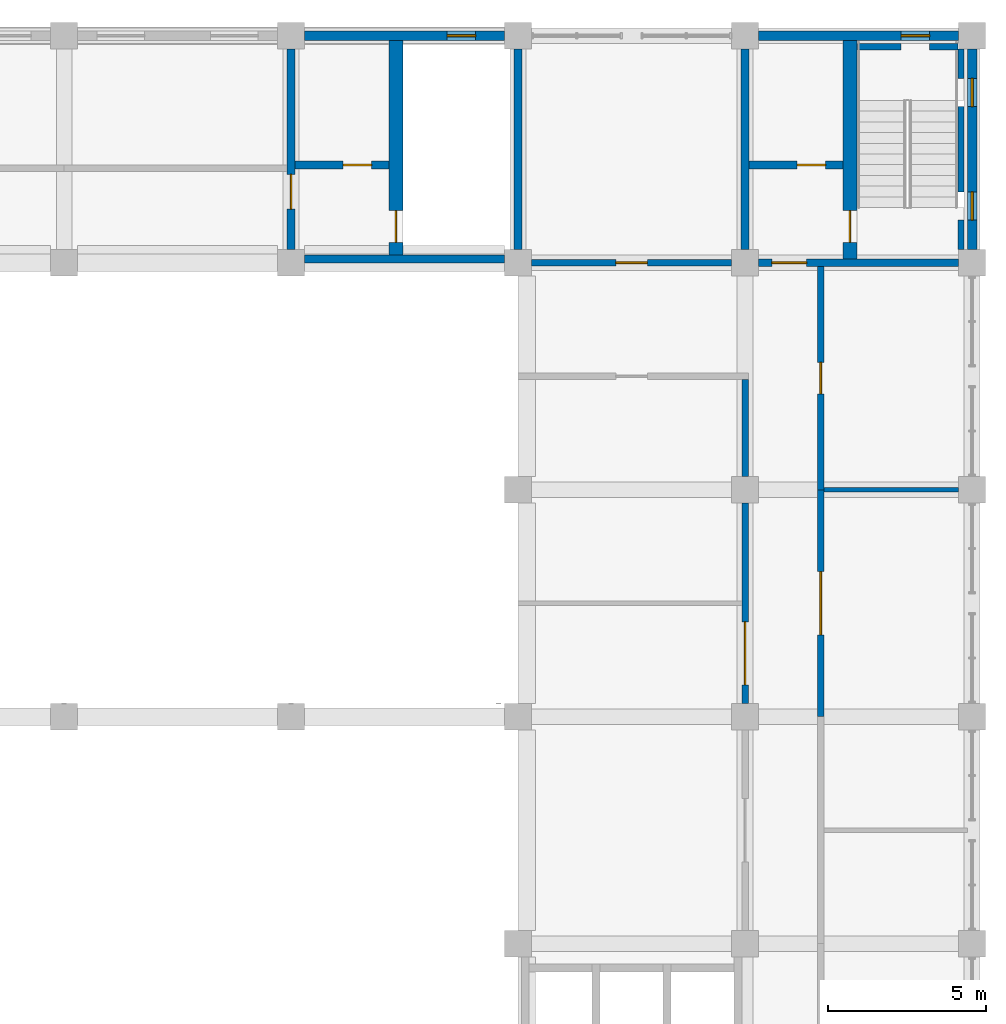
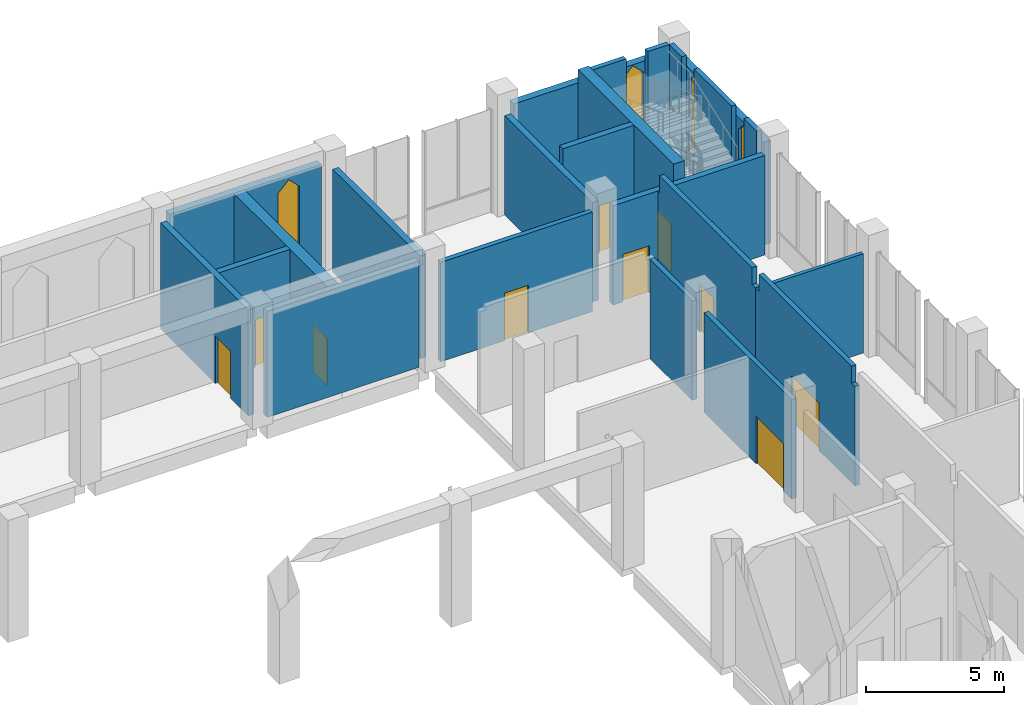
# One storey, part 35 of 48: 23 walls, 10 doors, 4 windows, 14 openings.
"""IFC4 building model written with IfcOpenShell, lengths in metres."""

from ifc_helpers import new_model, si_unit, direction, frame, frame_2d, origin, place, context, subcontext, project, spatial, polyline, rectangle, outline, extrude, material, layer, layer_set, type_object, element, fill, save


model = new_model("IFC4")

# Units and contexts
model_context = context("Model", 3, precision=1e-05, world=origin(), true_north=direction((0.0, 1.0)))
body_context = subcontext(model_context, "Body", "Model", "MODEL_VIEW")
ifc_project = project(units=[si_unit("LENGTHUNIT", "METRE"), si_unit("AREAUNIT", "SQUARE_METRE"), si_unit("VOLUMEUNIT", "CUBIC_METRE"), si_unit("PLANEANGLEUNIT", "RADIAN"), si_unit("MASSUNIT", "GRAM", prefix="KILO")], contexts=[model_context])

# Site, building, storey
site_placement = place(None, origin())
site = spatial("IfcSite", under=ifc_project, at=site_placement, CompositionType="ELEMENT")
building_placement = place(site_placement, origin())
building = spatial("IfcBuilding", under=site, at=building_placement, Name="Silangan Lancet Faculty of Sciences", CompositionType="ELEMENT")
storey_placement = place(building_placement, frame((0.0, 0.0, 6.0)))
storey = spatial("IfcBuildingStorey", under=building, at=storey_placement, Name="L01", CompositionType="ELEMENT", Elevation=6.0)

# Wall, openings, windows
ifc_material_1 = material(Name="Concrete C40/50 precast", Category="concrete")
ifc_layer_1 = layer(ifc_material_1, 0.300048828125)
ifc_layer_set_1 = layer_set([ifc_layer_1], Name="Concrete C40/50 precast")
wall_type_1 = type_object("IfcWallType", Name="EW2 Turret enclosure wall", PredefinedType="STANDARD", material=ifc_layer_set_1)
wall_1_placement = place(storey_placement, frame((86.39990234375, 50.824951171875, 0.0), z_axis=(0.0, 0.0, 1.0), x_axis=(0.0, 1.0, 0.0)))
wall_1 = element("IfcWall", 1, at=wall_1_placement, inside=storey, type_object=wall_type_1, Name="EW-L01-E-EB-07", PredefinedType="STANDARD", context=body_context, shape_type="SweptSolid", body=[
    extrude(rectangle(XDim=6.35009765625, YDim=0.300048828125, at=frame_2d((3.175048828125, 0.0))), origin(), (0.0, 0.0, 1.0), 4.550048828125),
])
opening_1_placement = place(wall_1_placement, frame((0.925048828125, 0.0, 0.89990234375)))
opening_1 = element("IfcOpeningElement", 2, at=opening_1_placement, cuts=wall_1, Name="Opening W5", PredefinedType="OPENING", context=body_context, shape_type="SweptSolid", body=[
    extrude(outline(polyline([(0.0, 0.0), (0.89990234375, 0.0), (0.89990234375, 3.150146484375), (0.449951171875, 3.60009765625), (0.0, 3.150146484375), (0.0, 0.0)])), frame((0.0, 0.159912109375, 0.0), z_axis=(0.0, -1.0, 0.0), x_axis=(1.0, 0.0, 0.0)), (0.0, 0.0, 1.0), 0.320068359375),
])
opening_2_placement = place(wall_1_placement, frame((4.52490234375, 0.0, 0.89990234375)))
opening_2 = element("IfcOpeningElement", 3, at=opening_2_placement, cuts=wall_1, Name="Opening W5", PredefinedType="OPENING", context=body_context, shape_type="SweptSolid", body=[
    extrude(outline(polyline([(0.0, 0.0), (0.89990234375, 0.0), (0.89990234375, 3.150146484375), (0.449951171875, 3.60009765625), (0.0, 3.150146484375), (0.0, 0.0)])), frame((0.0, 0.159912109375, 0.0), z_axis=(0.0, -1.0, 0.0), x_axis=(1.0, 0.0, 0.0)), (0.0, 0.0, 1.0), 0.320068359375),
])
ifc_material_2 = material(Name="Aluminium frame, laminated double glazing", Category="aluminium")
window_type = type_object("IfcWindowType", Name="W5 Lancet window 900 x 3600", PartitioningType="SINGLE_PANEL", PredefinedType="WINDOW", material=ifc_material_2)
window_1_placement = place(opening_1_placement, origin())
window_1 = element("IfcWindow", 4, at=window_1_placement, inside=storey, type_object=window_type, Name="WIN-L01-E-EB-07a", OverallHeight=3.60009765625, OverallWidth=0.89990234375, PartitioningType="SINGLE_PANEL", PredefinedType="WINDOW", context=body_context, shape_type="SweptSolid", body=[
    extrude(outline(polyline([(0.0, 0.0), (0.89990234375, 0.0), (0.89990234375, 3.150146484375), (0.449951171875, 3.60009765625), (0.0, 3.150146484375), (0.0, 0.0)])), frame((0.0, 0.030029296875, 0.0), z_axis=(0.0, -1.0, 0.0), x_axis=(1.0, 0.0, 0.0)), (0.0, 0.0, 1.0), 0.06005859375),
])
fill(opening_1, window_1)
window_2_placement = place(opening_2_placement, origin())
window_2 = element("IfcWindow", 5, at=window_2_placement, inside=storey, type_object=window_type, Name="WIN-L01-E-EB-07b", OverallHeight=3.60009765625, OverallWidth=0.89990234375, PartitioningType="SINGLE_PANEL", PredefinedType="WINDOW", context=body_context, shape_type="SweptSolid", body=[
    extrude(outline(polyline([(0.0, 0.0), (0.89990234375, 0.0), (0.89990234375, 3.150146484375), (0.449951171875, 3.60009765625), (0.0, 3.150146484375), (0.0, 0.0)])), frame((0.0, 0.030029296875, 0.0), z_axis=(0.0, -1.0, 0.0), x_axis=(1.0, 0.0, 0.0)), (0.0, 0.0, 1.0), 0.06005859375),
])
fill(opening_2, window_2)

# Wall, opening, window
wall_2_placement = place(storey_placement, frame((85.97509765625, 57.60009765625, 0.0), z_axis=(0.0, 0.0, 1.0), x_axis=(-1.0, 0.0, 0.0)))
wall_2 = element("IfcWall", 6, at=wall_2_placement, inside=storey, type_object=wall_type_1, Name="EW-L01-N-EB-00", PredefinedType="STANDARD", context=body_context, shape_type="SweptSolid", body=[
    extrude(rectangle(XDim=6.35009765625, YDim=0.300048828125, at=frame_2d((3.175048828125, 0.0))), origin(), (0.0, 0.0, 1.0), 4.550048828125),
])
opening_3_placement = place(wall_2_placement, frame((0.925048828125, 0.0, 0.89990234375)))
opening_3 = element("IfcOpeningElement", 7, at=opening_3_placement, cuts=wall_2, Name="Opening W5", PredefinedType="OPENING", context=body_context, shape_type="SweptSolid", body=[
    extrude(outline(polyline([(0.0, 0.0), (0.89990234375, 0.0), (0.89990234375, 3.150146484375), (0.449951171875, 3.60009765625), (0.0, 3.150146484375), (0.0, 0.0)])), frame((0.0, 0.159912109375, 0.0), z_axis=(0.0, -1.0, 0.0), x_axis=(1.0, 0.0, 0.0)), (0.0, 0.0, 1.0), 0.320068359375),
])
window_3_placement = place(opening_3_placement, origin())
window_3 = element("IfcWindow", 8, at=window_3_placement, inside=storey, type_object=window_type, Name="WIN-L01-N-EB-00a", OverallHeight=3.60009765625, OverallWidth=0.89990234375, PartitioningType="SINGLE_PANEL", PredefinedType="WINDOW", context=body_context, shape_type="SweptSolid", body=[
    extrude(outline(polyline([(0.0, 0.0), (0.89990234375, 0.0), (0.89990234375, 3.150146484375), (0.449951171875, 3.60009765625), (0.0, 3.150146484375), (0.0, 0.0)])), frame((0.0, 0.030029296875, 0.0), z_axis=(0.0, -1.0, 0.0), x_axis=(1.0, 0.0, 0.0)), (0.0, 0.0, 1.0), 0.06005859375),
])
fill(opening_3, window_3)

wall_3_placement = place(storey_placement, frame((71.574951171875, 57.60009765625, 0.0), z_axis=(0.0, 0.0, 1.0), x_axis=(-1.0, 0.0, 0.0)))
wall_3 = element("IfcWall", 9, at=wall_3_placement, inside=storey, type_object=wall_type_1, Name="EW-L01-N-NAB-00", PredefinedType="STANDARD", context=body_context, shape_type="SweptSolid", body=[
    extrude(rectangle(XDim=6.349853515625, YDim=0.300048828125, at=frame_2d((3.1748046875, 0.0))), origin(), (0.0, 0.0, 1.0), 4.699951171875),
])
opening_4_placement = place(wall_3_placement, frame((0.925048828125, 0.0, 0.89990234375)))
opening_4 = element("IfcOpeningElement", 10, at=opening_4_placement, cuts=wall_3, Name="Opening W5", PredefinedType="OPENING", context=body_context, shape_type="SweptSolid", body=[
    extrude(outline(polyline([(0.0, 0.0), (0.89990234375, 0.0), (0.89990234375, 3.150146484375), (0.449951171875, 3.60009765625), (0.0, 3.150146484375), (0.0, 0.0)])), frame((0.0, 0.159912109375, 0.0), z_axis=(0.0, -1.0, 0.0), x_axis=(1.0, 0.0, 0.0)), (0.0, 0.0, 1.0), 0.320068359375),
])
window_4_placement = place(opening_4_placement, origin())
window_4 = element("IfcWindow", 11, at=window_4_placement, inside=storey, type_object=window_type, Name="WIN-L01-N-NAB-00a", OverallHeight=3.60009765625, OverallWidth=0.89990234375, PartitioningType="SINGLE_PANEL", PredefinedType="WINDOW", context=body_context, shape_type="SweptSolid", body=[
    extrude(outline(polyline([(0.0, 0.0), (0.89990234375, 0.0), (0.89990234375, 3.150146484375), (0.449951171875, 3.60009765625), (0.0, 3.150146484375), (0.0, 0.0)])), frame((0.0, 0.030029296875, 0.0), z_axis=(0.0, -1.0, 0.0), x_axis=(1.0, 0.0, 0.0)), (0.0, 0.0, 1.0), 0.06005859375),
])
fill(opening_4, window_4)

# Wall, opening, door
ifc_material_3 = material(Name="Hollow block masonry fm 7 MPa", Category="masonry")
ifc_layer_2 = layer(ifc_material_3, 0.199951171875)
ifc_layer_set_2 = layer_set([ifc_layer_2], Name="Hollow block masonry fm 7 MPa")
wall_type_2 = type_object("IfcWallType", Name="Interior wall PW1 Corridor wall CHB 200", PredefinedType="PARTITIONING", material=ifc_layer_set_2)
wall_4_placement = place(storey_placement, frame((72.425048828125, 50.39990234375, 0.0), z_axis=(0.0, 0.0, 1.0), x_axis=(1.0, 0.0, 0.0)))
wall_4 = element("IfcWall", 12, at=wall_4_placement, inside=storey, type_object=wall_type_2, Name="Corridor wall CHB 200", PredefinedType="PARTITIONING", context=body_context, shape_type="SweptSolid", body=[
    extrude(rectangle(XDim=6.349853515625, YDim=0.199951171875, at=frame_2d((3.1748046875, 0.0))), origin(), (0.0, 0.0, 1.0), 4.39990234375),
])
opening_5_placement = place(wall_4_placement, frame((2.675048828125, 0.0, 0.0)))
opening_5 = element("IfcOpeningElement", 13, at=opening_5_placement, cuts=wall_4, Name="Opening L01-045", PredefinedType="OPENING", context=body_context, shape_type="SweptSolid", body=[
    extrude(rectangle(XDim=1.0, YDim=2.10009765625, at=frame_2d((0.5, 1.050048828125))), frame((0.0, 0.10986328125, 0.0), z_axis=(0.0, -1.0, 0.0), x_axis=(1.0, 0.0, 0.0)), (0.0, 0.0, 1.0), 0.219970703125),
])
ifc_material_4 = material(Name="Steel fire door set", Category="steel")
door_type_1 = type_object("IfcDoorType", Name="Door D1 Single leaf fire door 1000 x 2100", OperationType="SINGLE_SWING_LEFT", PredefinedType="DOOR", material=ifc_material_4)
door_1_placement = place(opening_5_placement, origin())
door_1 = element("IfcDoor", 14, at=door_1_placement, inside=storey, type_object=door_type_1, Name="Single leaf fire door 1000 x 2100", OperationType="SINGLE_SWING_LEFT", OverallHeight=2.10009765625, OverallWidth=1.0, PredefinedType="DOOR", context=body_context, shape_type="SweptSolid", body=[
    extrude(rectangle(XDim=1.0, YDim=2.10009765625, at=frame_2d((0.5, 1.050048828125))), frame((0.0, 0.02490234375, 0.0), z_axis=(0.0, -1.0, 0.0), x_axis=(1.0, 0.0, 0.0)), (0.0, 0.0, 1.0), 0.050048828125),
])
fill(opening_5, door_1)

wall_5_placement = place(storey_placement, frame((79.199951171875, 36.425048828125, 0.0), z_axis=(0.0, 0.0, 1.0), x_axis=(0.0, 1.0, 0.0)))
wall_5 = element("IfcWall", 15, at=wall_5_placement, inside=storey, type_object=wall_type_2, Name="Corridor wall CHB 200", PredefinedType="PARTITIONING", context=body_context, shape_type="SweptSolid", body=[
    extrude(rectangle(XDim=6.349853515625, YDim=0.199951171875, at=frame_2d((3.1748046875, 0.0))), origin(), (0.0, 0.0, 1.0), 4.39990234375),
])
opening_6_placement = place(wall_5_placement, frame((0.58740234375, 0.0, 0.0)))
opening_6 = element("IfcOpeningElement", 16, at=opening_6_placement, cuts=wall_5, Name="Opening L01-043", PredefinedType="OPENING", context=body_context, shape_type="SweptSolid", body=[
    extrude(rectangle(XDim=2.0, YDim=2.10009765625, at=frame_2d((1.0, 1.050048828125))), frame((0.0, 0.10986328125, 0.0), z_axis=(0.0, -1.0, 0.0), x_axis=(1.0, 0.0, 0.0)), (0.0, 0.0, 1.0), 0.219970703125),
])
ifc_material_5 = material(Name="Steel fire door set", Category="steel")
door_type_2 = type_object("IfcDoorType", Name="Door D4 Double leaf fire door 2000 x 2100", OperationType="DOUBLE_DOOR_SINGLE_SWING", PredefinedType="DOOR", material=ifc_material_5)
door_2_placement = place(opening_6_placement, origin())
door_2 = element("IfcDoor", 17, at=door_2_placement, inside=storey, type_object=door_type_2, Name="Double leaf fire door 2000 x 2100", OperationType="DOUBLE_DOOR_SINGLE_SWING", OverallHeight=2.10009765625, OverallWidth=2.0, PredefinedType="DOOR", context=body_context, shape_type="SweptSolid", body=[
    extrude(rectangle(XDim=2.0, YDim=2.10009765625, at=frame_2d((1.0, 1.050048828125))), frame((0.0, 0.02490234375, 0.0), z_axis=(0.0, -1.0, 0.0), x_axis=(1.0, 0.0, 0.0)), (0.0, 0.0, 1.0), 0.050048828125),
])
fill(opening_6, door_2)

# Wall
wall_6_placement = place(storey_placement, frame((79.199951171875, 43.625, 0.0), z_axis=(0.0, 0.0, 1.0), x_axis=(0.0, 1.0, 0.0)))
element("IfcWall", 18, at=wall_6_placement, inside=storey, type_object=wall_type_2, Name="Corridor wall CHB 200", PredefinedType="PARTITIONING", context=body_context, shape_type="SweptSolid", body=[
    extrude(rectangle(XDim=3.074951171875, YDim=0.199951171875, at=frame_2d((1.53759765625, 0.0))), origin(), (0.0, 0.0, 1.0), 4.39990234375),
])

# Wall, opening, door
wall_7_placement = place(storey_placement, frame((81.60009765625, 36.0, 0.0), z_axis=(0.0, 0.0, 1.0), x_axis=(0.0, 1.0, 0.0)))
wall_7 = element("IfcWall", 19, at=wall_7_placement, inside=storey, type_object=wall_type_2, Name="Corridor wall CHB 200", PredefinedType="PARTITIONING", context=body_context, shape_type="SweptSolid", body=[
    extrude(outline(polyline([(0.0, 0.0), (7.199951171875, 0.0), (7.199951171875, 4.39990234375), (6.949951171875, 4.39990234375), (6.949951171875, 5.14990234375), (0.25, 5.14990234375), (0.25, 4.39990234375), (0.0, 4.39990234375), (0.0, 0.0)])), frame((0.0, 0.10009765625, 0.0), z_axis=(0.0, -1.0, 0.0), x_axis=(1.0, 0.0, 0.0)), (0.0, 0.0, 1.0), 0.199951171875),
])
opening_7_placement = place(wall_7_placement, frame((2.60009765625, 0.0, 0.0)))
opening_7 = element("IfcOpeningElement", 20, at=opening_7_placement, cuts=wall_7, Name="Opening L01-049", PredefinedType="OPENING", context=body_context, shape_type="SweptSolid", body=[
    extrude(rectangle(XDim=2.0, YDim=2.10009765625, at=frame_2d((1.0, 1.050048828125))), frame((0.0, 0.10986328125, 0.0), z_axis=(0.0, -1.0, 0.0), x_axis=(1.0, 0.0, 0.0)), (0.0, 0.0, 1.0), 0.219970703125),
])
door_3_placement = place(opening_7_placement, origin())
door_3 = element("IfcDoor", 21, at=door_3_placement, inside=storey, type_object=door_type_2, Name="Double leaf fire door 2000 x 2100", OperationType="DOUBLE_DOOR_SINGLE_SWING", OverallHeight=2.10009765625, OverallWidth=2.0, PredefinedType="DOOR", context=body_context, shape_type="SweptSolid", body=[
    extrude(rectangle(XDim=2.0, YDim=2.10009765625, at=frame_2d((1.0, 1.050048828125))), frame((0.0, 0.02490234375, 0.0), z_axis=(0.0, -1.0, 0.0), x_axis=(1.0, 0.0, 0.0)), (0.0, 0.0, 1.0), 0.050048828125),
])
fill(opening_7, door_3)

wall_8_placement = place(storey_placement, frame((81.60009765625, 43.199951171875, 0.0), z_axis=(0.0, 0.0, 1.0), x_axis=(0.0, 1.0, 0.0)))
wall_8 = element("IfcWall", 22, at=wall_8_placement, inside=storey, type_object=wall_type_2, Name="Corridor wall CHB 200", PredefinedType="PARTITIONING", context=body_context, shape_type="SweptSolid", body=[
    extrude(outline(polyline([(0.0, 0.0), (7.074951171875, 0.0), (7.074951171875, 4.39990234375), (6.949951171875, 4.39990234375), (6.949951171875, 5.14990234375), (0.25, 5.14990234375), (0.25, 4.39990234375), (0.0, 4.39990234375), (0.0, 0.0)])), frame((0.0, 0.10009765625, 0.0), z_axis=(0.0, -1.0, 0.0), x_axis=(1.0, 0.0, 0.0)), (0.0, 0.0, 1.0), 0.199951171875),
])
opening_8_placement = place(wall_8_placement, frame((3.03759765625, 0.0, 0.0)))
opening_8 = element("IfcOpeningElement", 23, at=opening_8_placement, cuts=wall_8, Name="Opening L01-050", PredefinedType="OPENING", context=body_context, shape_type="SweptSolid", body=[
    extrude(rectangle(XDim=1.0, YDim=2.10009765625, at=frame_2d((0.5, 1.050048828125))), frame((0.0, 0.10986328125, 0.0), z_axis=(0.0, -1.0, 0.0), x_axis=(1.0, 0.0, 0.0)), (0.0, 0.0, 1.0), 0.219970703125),
])
door_4_placement = place(opening_8_placement, frame((1.0, 0.0, 0.0), z_axis=(0.0, 0.0, 1.0), x_axis=(-1.0, 0.0, 0.0)))
door_4 = element("IfcDoor", 24, at=door_4_placement, inside=storey, type_object=door_type_1, Name="Single leaf fire door 1000 x 2100", OperationType="SINGLE_SWING_LEFT", OverallHeight=2.10009765625, OverallWidth=1.0, PredefinedType="DOOR", context=body_context, shape_type="SweptSolid", body=[
    extrude(rectangle(XDim=1.0, YDim=2.10009765625, at=frame_2d((0.5, 1.050048828125))), frame((0.0, 0.025146484375, 0.0), z_axis=(0.0, -1.0, 0.0), x_axis=(1.0, 0.0, 0.0)), (0.0, 0.0, 1.0), 0.050048828125),
])
fill(opening_8, door_4)

# Wall
ifc_material_6 = material(Name="Hollow block masonry fm 7 MPa", Category="masonry")
ifc_layer_3 = layer(ifc_material_6, 0.14990234375)
ifc_layer_set_3 = layer_set([ifc_layer_3], Name="Hollow block masonry fm 7 MPa")
wall_type_3 = type_object("IfcWallType", Name="Interior wall PW3 Partition CHB 150", PredefinedType="PARTITIONING", material=ifc_layer_set_3)
wall_9_placement = place(storey_placement, frame((81.699951171875, 43.199951171875, 0.0), z_axis=(0.0, 0.0, 1.0), x_axis=(1.0, 0.0, 0.0)))
element("IfcWall", 25, at=wall_9_placement, inside=storey, type_object=wall_type_3, Name="Partition CHB 150", PredefinedType="PARTITIONING", context=body_context, shape_type="SweptSolid", body=[
    extrude(rectangle(XDim=4.275146484375, YDim=0.14990234375, at=frame_2d((2.1376953125, 0.0))), origin(), (0.0, 0.0, 1.0), 4.39990234375),
])

# Wall, opening, door
ifc_material_7 = material(Name="Concrete C40/50", Category="concrete")
ifc_layer_4 = layer(ifc_material_7, 0.449951171875)
ifc_layer_set_4 = layer_set([ifc_layer_4], Name="Concrete C40/50")
wall_type_4 = type_object("IfcWallType", Name="TURRET CORE WALL RC 450", PredefinedType="SHEAR", material=ifc_layer_set_4)
wall_10_placement = place(storey_placement, frame((82.52490234375, 50.52490234375, 0.0), z_axis=(0.0, 0.0, 1.0), x_axis=(0.0, 1.0, 0.0)))
wall_10 = element("IfcWall", 26, at=wall_10_placement, inside=storey, type_object=wall_type_4, Name="WALL-L01-EB-B-WELL", PredefinedType="SHEAR", context=body_context, shape_type="SweptSolid", body=[
    extrude(rectangle(XDim=6.925048828125, YDim=0.449951171875, at=frame_2d((3.46240234375, 0.0))), origin(), (0.0, 0.0, 1.0), 5.14990234375),
])
opening_9_placement = place(wall_10_placement, frame((0.52490234375, 0.0, 0.0)))
opening_9 = element("IfcOpeningElement", 27, at=opening_9_placement, cuts=wall_10, Name="Opening L01-704", PredefinedType="OPENING", context=body_context, shape_type="SweptSolid", body=[
    extrude(rectangle(XDim=1.0, YDim=2.10009765625, at=frame_2d((0.5, 1.050048828125))), frame((0.0, 0.23486328125, 0.0), z_axis=(0.0, -1.0, 0.0), x_axis=(1.0, 0.0, 0.0)), (0.0, 0.0, 1.0), 0.469970703125),
])
ifc_material_8 = material(Name="Steel fire door set", Category="steel")
door_type_3 = type_object("IfcDoorType", Name="D71 Stair enclosure door 1000x2100", OperationType="SINGLE_SWING_LEFT", PredefinedType="DOOR", material=ifc_material_8)
door_5_placement = place(opening_9_placement, frame((1.0, 0.0, 0.0), z_axis=(0.0, 0.0, 1.0), x_axis=(-1.0, 0.0, 0.0)))
door_5 = element("IfcDoor", 28, at=door_5_placement, inside=storey, type_object=door_type_3, Name="Stair enclosure door EB-B L01", OperationType="SINGLE_SWING_RIGHT", OverallHeight=2.10009765625, OverallWidth=1.0, PredefinedType="DOOR", context=body_context, shape_type="SweptSolid", body=[
    extrude(rectangle(XDim=1.0, YDim=2.10009765625, at=frame_2d((0.5, 1.050048828125))), frame((0.0, 0.025146484375, 0.0), z_axis=(0.0, -1.0, 0.0), x_axis=(1.0, 0.0, 0.0)), (0.0, 0.0, 1.0), 0.050048828125),
])
fill(opening_9, door_5)

wall_11_placement = place(storey_placement, frame((68.125, 50.64990234375, 0.0), z_axis=(0.0, 0.0, 1.0), x_axis=(0.0, 1.0, 0.0)))
wall_11 = element("IfcWall", 29, at=wall_11_placement, inside=storey, type_object=wall_type_4, Name="WALL-L01-NAB-B-WELL", PredefinedType="SHEAR", context=body_context, shape_type="SweptSolid", body=[
    extrude(rectangle(XDim=6.800048828125, YDim=0.449951171875, at=frame_2d((3.39990234375, 0.0))), origin(), (0.0, 0.0, 1.0), 4.699951171875),
])
opening_10_placement = place(wall_11_placement, frame((0.39990234375, 0.0, 0.0)))
opening_10 = element("IfcOpeningElement", 30, at=opening_10_placement, cuts=wall_11, Name="Opening L01-710", PredefinedType="OPENING", context=body_context, shape_type="SweptSolid", body=[
    extrude(rectangle(XDim=1.0, YDim=2.10009765625, at=frame_2d((0.5, 1.050048828125))), frame((0.0, 0.23486328125, 0.0), z_axis=(0.0, -1.0, 0.0), x_axis=(1.0, 0.0, 0.0)), (0.0, 0.0, 1.0), 0.469970703125),
])
door_6_placement = place(opening_10_placement, frame((1.0, 0.0, 0.0), z_axis=(0.0, 0.0, 1.0), x_axis=(-1.0, 0.0, 0.0)))
door_6 = element("IfcDoor", 31, at=door_6_placement, inside=storey, type_object=door_type_3, Name="Stair enclosure door NAB-B L01", OperationType="SINGLE_SWING_RIGHT", OverallHeight=2.10009765625, OverallWidth=1.0, PredefinedType="DOOR", context=body_context, shape_type="SweptSolid", body=[
    extrude(rectangle(XDim=1.0, YDim=2.10009765625, at=frame_2d((0.5, 1.050048828125))), frame((0.0, 0.025146484375, 0.0), z_axis=(0.0, -1.0, 0.0), x_axis=(1.0, 0.0, 0.0)), (0.0, 0.0, 1.0), 0.050048828125),
])
fill(opening_10, door_6)

# Walls
ifc_material_9 = material(Name="Concrete C40/50", Category="concrete")
ifc_layer_5 = layer(ifc_material_9, 0.199951171875)
ifc_layer_set_5 = layer_set([ifc_layer_5], Name="Concrete C40/50")
wall_type_5 = type_object("IfcWallType", Name="TURRET LINING WALL RC 200", PredefinedType="SHEAR", material=ifc_layer_set_5)
wall_12_placement = place(storey_placement, frame((86.050048828125, 50.824951171875, -0.25), z_axis=(0.0, 0.0, 1.0), x_axis=(0.0, 1.0, 0.0)))
element("IfcWall", 32, at=wall_12_placement, inside=storey, type_object=wall_type_5, Name="WALL-L01-EB-B-WL", PredefinedType="SHEAR", context=body_context, shape_type="SweptSolid", body=[
    extrude(rectangle(XDim=0.925048828125, YDim=0.199951171875, at=frame_2d((0.46240234375, 0.0))), origin(), (0.0, 0.0, 1.0), 5.39990234375),
])
wall_13_placement = place(storey_placement, frame((86.050048828125, 52.64990234375, -0.25), z_axis=(0.0, 0.0, 1.0), x_axis=(0.0, 1.0, 0.0)))
element("IfcWall", 33, at=wall_13_placement, inside=storey, type_object=wall_type_5, Name="WALL-L01-EB-B-WL-2", PredefinedType="SHEAR", context=body_context, shape_type="SweptSolid", body=[
    extrude(rectangle(XDim=2.7001953125, YDim=0.199951171875, at=frame_2d((1.35009765625, 0.0))), origin(), (0.0, 0.0, 1.0), 5.39990234375),
])
wall_14_placement = place(storey_placement, frame((86.050048828125, 56.25, -0.25), z_axis=(0.0, 0.0, 1.0), x_axis=(0.0, 1.0, 0.0)))
element("IfcWall", 34, at=wall_14_placement, inside=storey, type_object=wall_type_5, Name="WALL-L01-EB-B-WL-3", PredefinedType="SHEAR", context=body_context, shape_type="SweptSolid", body=[
    extrude(rectangle(XDim=0.925048828125, YDim=0.199951171875, at=frame_2d((0.46240234375, 0.0))), origin(), (0.0, 0.0, 1.0), 5.39990234375),
])
wall_15_placement = place(storey_placement, frame((82.75, 57.25, -0.25), z_axis=(0.0, 0.0, 1.0), x_axis=(1.0, 0.0, 0.0)))
element("IfcWall", 35, at=wall_15_placement, inside=storey, type_object=wall_type_5, Name="WALL-L01-EB-B-WLD", PredefinedType="SHEAR", context=body_context, shape_type="SweptSolid", body=[
    extrude(rectangle(XDim=1.39990234375, YDim=0.199951171875, at=frame_2d((0.699951171875, 0.0))), origin(), (0.0, 0.0, 1.0), 5.39990234375),
])
wall_16_placement = place(storey_placement, frame((85.050048828125, 57.25, -0.25), z_axis=(0.0, 0.0, 1.0), x_axis=(1.0, 0.0, 0.0)))
element("IfcWall", 36, at=wall_16_placement, inside=storey, type_object=wall_type_5, Name="WALL-L01-EB-B-WLD-2", PredefinedType="SHEAR", context=body_context, shape_type="SweptSolid", body=[
    extrude(rectangle(XDim=0.89990234375, YDim=0.199951171875, at=frame_2d((0.449951171875, 0.0))), origin(), (0.0, 0.0, 1.0), 5.39990234375),
])

# Wall, opening, door
ifc_material_10 = material(Name="Concrete C40/50", Category="concrete")
ifc_layer_6 = layer(ifc_material_10, 0.25)
ifc_layer_set_6 = layer_set([ifc_layer_6], Name="Concrete C40/50")
wall_type_6 = type_object("IfcWallType", Name="TURRET WALL RC 250", PredefinedType="SHEAR", material=ifc_layer_set_6)
wall_17_placement = place(storey_placement, frame((79.625, 50.39990234375, 0.0), z_axis=(0.0, 0.0, 1.0), x_axis=(1.0, 0.0, 0.0)))
wall_17 = element("IfcWall", 37, at=wall_17_placement, inside=storey, type_object=wall_type_6, Name="WALL-L01-EB-B-V", PredefinedType="SHEAR", context=body_context, shape_type="SweptSolid", body=[
    extrude(rectangle(XDim=6.35009765625, YDim=0.25, at=frame_2d((3.175048828125, 0.0))), origin(), (0.0, 0.0, 1.0), 4.39990234375),
])
opening_11_placement = place(wall_17_placement, frame((0.425048828125, 0.0, 0.0)))
opening_11 = element("IfcOpeningElement", 38, at=opening_11_placement, cuts=wall_17, Name="Opening L01-705", PredefinedType="OPENING", context=body_context, shape_type="SweptSolid", body=[
    extrude(rectangle(XDim=1.10009765625, YDim=2.10009765625, at=frame_2d((0.550048828125, 1.050048828125))), frame((0.0, 0.135009765625, 0.0), z_axis=(0.0, -1.0, 0.0), x_axis=(1.0, 0.0, 0.0)), (0.0, 0.0, 1.0), 0.27001953125),
])
ifc_material_11 = material(Name="Steel fire door set", Category="steel")
door_type_4 = type_object("IfcDoorType", Name="D70 Stair vestibule door 1100x2100", OperationType="SINGLE_SWING_LEFT", PredefinedType="DOOR", material=ifc_material_11)
door_7_placement = place(opening_11_placement, origin())
door_7 = element("IfcDoor", 39, at=door_7_placement, inside=storey, type_object=door_type_4, Name="Stair vestibule door EB-B L01", OperationType="SINGLE_SWING_LEFT", OverallHeight=2.10009765625, OverallWidth=1.10009765625, PredefinedType="DOOR", context=body_context, shape_type="SweptSolid", body=[
    extrude(rectangle(XDim=1.10009765625, YDim=2.10009765625, at=frame_2d((0.550048828125, 1.050048828125))), frame((0.0, 0.02490234375, 0.0), z_axis=(0.0, -1.0, 0.0), x_axis=(1.0, 0.0, 0.0)), (0.0, 0.0, 1.0), 0.050048828125),
])
fill(opening_11, door_7)

# Wall
wall_18_placement = place(storey_placement, frame((79.199951171875, 50.824951171875, 0.0), z_axis=(0.0, 0.0, 1.0), x_axis=(0.0, 1.0, 0.0)))
element("IfcWall", 40, at=wall_18_placement, inside=storey, type_object=wall_type_6, Name="WALL-L01-EB-B-O", PredefinedType="SHEAR", context=body_context, shape_type="SweptSolid", body=[
    extrude(rectangle(XDim=6.35009765625, YDim=0.25, at=frame_2d((3.175048828125, 0.0))), origin(), (0.0, 0.0, 1.0), 4.39990234375),
])

# Wall, opening, door
wall_19_placement = place(storey_placement, frame((79.324951171875, 53.5, 0.0), z_axis=(0.0, 0.0, 1.0), x_axis=(1.0, 0.0, 0.0)))
wall_19 = element("IfcWall", 41, at=wall_19_placement, inside=storey, type_object=wall_type_6, Name="WALL-L01-EB-B-RISER", PredefinedType="SHEAR", context=body_context, shape_type="SweptSolid", body=[
    extrude(rectangle(XDim=2.97509765625, YDim=0.25, at=frame_2d((1.487548828125, 0.0))), origin(), (0.0, 0.0, 1.0), 5.14990234375),
])
opening_12_placement = place(wall_19_placement, frame((1.52490234375, 0.0, 0.0)))
opening_12 = element("IfcOpeningElement", 42, at=opening_12_placement, cuts=wall_19, Name="Opening L01-706", PredefinedType="OPENING", context=body_context, shape_type="SweptSolid", body=[
    extrude(rectangle(XDim=0.89990234375, YDim=2.10009765625, at=frame_2d((0.449951171875, 1.050048828125))), frame((0.0, 0.135009765625, 0.0), z_axis=(0.0, -1.0, 0.0), x_axis=(1.0, 0.0, 0.0)), (0.0, 0.0, 1.0), 0.27001953125),
])
ifc_material_12 = material(Name="Steel fire door set", Category="steel")
door_type_5 = type_object("IfcDoorType", Name="D72 Riser access door 900x2100", OperationType="SINGLE_SWING_LEFT", PredefinedType="DOOR", material=ifc_material_12)
door_8_placement = place(opening_12_placement, origin())
door_8 = element("IfcDoor", 43, at=door_8_placement, inside=storey, type_object=door_type_5, Name="Riser access door EB-B L01", OperationType="SINGLE_SWING_LEFT", OverallHeight=2.10009765625, OverallWidth=0.89990234375, PredefinedType="DOOR", context=body_context, shape_type="SweptSolid", body=[
    extrude(rectangle(XDim=0.89990234375, YDim=2.10009765625, at=frame_2d((0.449951171875, 1.050048828125))), frame((0.0, 0.02490234375, 0.0), z_axis=(0.0, -1.0, 0.0), x_axis=(1.0, 0.0, 0.0)), (0.0, 0.0, 1.0), 0.050048828125),
])
fill(opening_12, door_8)

# Walls
wall_20_placement = place(storey_placement, frame((65.22509765625, 50.52490234375, 0.0), z_axis=(0.0, 0.0, 1.0), x_axis=(1.0, 0.0, 0.0)))
element("IfcWall", 44, at=wall_20_placement, inside=storey, type_object=wall_type_6, Name="WALL-L01-NAB-B-V", PredefinedType="SHEAR", context=body_context, shape_type="SweptSolid", body=[
    extrude(rectangle(XDim=6.349853515625, YDim=0.25, at=frame_2d((3.1748046875, 0.0))), origin(), (0.0, 0.0, 1.0), 4.699951171875),
])
wall_21_placement = place(storey_placement, frame((72.0, 50.824951171875, 0.0), z_axis=(0.0, 0.0, 1.0), x_axis=(0.0, 1.0, 0.0)))
element("IfcWall", 45, at=wall_21_placement, inside=storey, type_object=wall_type_6, Name="WALL-L01-NAB-B-W", PredefinedType="SHEAR", context=body_context, shape_type="SweptSolid", body=[
    extrude(rectangle(XDim=6.35009765625, YDim=0.25, at=frame_2d((3.175048828125, 0.0))), origin(), (0.0, 0.0, 1.0), 4.550048828125),
])

# Wall, opening, door
wall_22_placement = place(storey_placement, frame((64.800048828125, 50.824951171875, 0.0), z_axis=(0.0, 0.0, 1.0), x_axis=(0.0, 1.0, 0.0)))
wall_22 = element("IfcWall", 46, at=wall_22_placement, inside=storey, type_object=wall_type_6, Name="WALL-L01-NAB-B-O", PredefinedType="SHEAR", context=body_context, shape_type="SweptSolid", body=[
    extrude(rectangle(XDim=6.35009765625, YDim=0.25, at=frame_2d((3.175048828125, 0.0))), origin(), (0.0, 0.0, 1.0), 4.699951171875),
])
opening_13_placement = place(wall_22_placement, frame((1.27490234375, 0.0, 0.0)))
opening_13 = element("IfcOpeningElement", 47, at=opening_13_placement, cuts=wall_22, Name="Opening L01-711", PredefinedType="OPENING", context=body_context, shape_type="SweptSolid", body=[
    extrude(rectangle(XDim=1.10009765625, YDim=2.10009765625, at=frame_2d((0.550048828125, 1.050048828125))), frame((0.0, 0.135009765625, 0.0), z_axis=(0.0, -1.0, 0.0), x_axis=(1.0, 0.0, 0.0)), (0.0, 0.0, 1.0), 0.27001953125),
])
door_9_placement = place(opening_13_placement, frame((1.10009765625, 0.0, 0.0), z_axis=(0.0, 0.0, 1.0), x_axis=(-1.0, 0.0, 0.0)))
door_9 = element("IfcDoor", 48, at=door_9_placement, inside=storey, type_object=door_type_4, Name="Stair vestibule door NAB-B L01", OperationType="SINGLE_SWING_RIGHT", OverallHeight=2.10009765625, OverallWidth=1.10009765625, PredefinedType="DOOR", context=body_context, shape_type="SweptSolid", body=[
    extrude(rectangle(XDim=1.10009765625, YDim=2.10009765625, at=frame_2d((0.550048828125, 1.050048828125))), frame((0.0, 0.025146484375, 0.0), z_axis=(0.0, -1.0, 0.0), x_axis=(1.0, 0.0, 0.0)), (0.0, 0.0, 1.0), 0.050048828125),
])
fill(opening_13, door_9)

wall_23_placement = place(storey_placement, frame((64.925048828125, 53.5, 0.0), z_axis=(0.0, 0.0, 1.0), x_axis=(1.0, 0.0, 0.0)))
wall_23 = element("IfcWall", 49, at=wall_23_placement, inside=storey, type_object=wall_type_6, Name="WALL-L01-NAB-B-RISER", PredefinedType="SHEAR", context=body_context, shape_type="SweptSolid", body=[
    extrude(rectangle(XDim=2.974853515625, YDim=0.25, at=frame_2d((1.4873046875, 0.0))), origin(), (0.0, 0.0, 1.0), 4.699951171875),
])
opening_14_placement = place(wall_23_placement, frame((1.52490234375, 0.0, 0.0)))
opening_14 = element("IfcOpeningElement", 50, at=opening_14_placement, cuts=wall_23, Name="Opening L01-712", PredefinedType="OPENING", context=body_context, shape_type="SweptSolid", body=[
    extrude(rectangle(XDim=0.89990234375, YDim=2.10009765625, at=frame_2d((0.449951171875, 1.050048828125))), frame((0.0, 0.135009765625, 0.0), z_axis=(0.0, -1.0, 0.0), x_axis=(1.0, 0.0, 0.0)), (0.0, 0.0, 1.0), 0.27001953125),
])
door_10_placement = place(opening_14_placement, origin())
door_10 = element("IfcDoor", 51, at=door_10_placement, inside=storey, type_object=door_type_5, Name="Riser access door NAB-B L01", OperationType="SINGLE_SWING_LEFT", OverallHeight=2.10009765625, OverallWidth=0.89990234375, PredefinedType="DOOR", context=body_context, shape_type="SweptSolid", body=[
    extrude(rectangle(XDim=0.89990234375, YDim=2.10009765625, at=frame_2d((0.449951171875, 1.050048828125))), frame((0.0, 0.02490234375, 0.0), z_axis=(0.0, -1.0, 0.0), x_axis=(1.0, 0.0, 0.0)), (0.0, 0.0, 1.0), 0.050048828125),
])
fill(opening_14, door_10)

save(model, "model.ifc")
